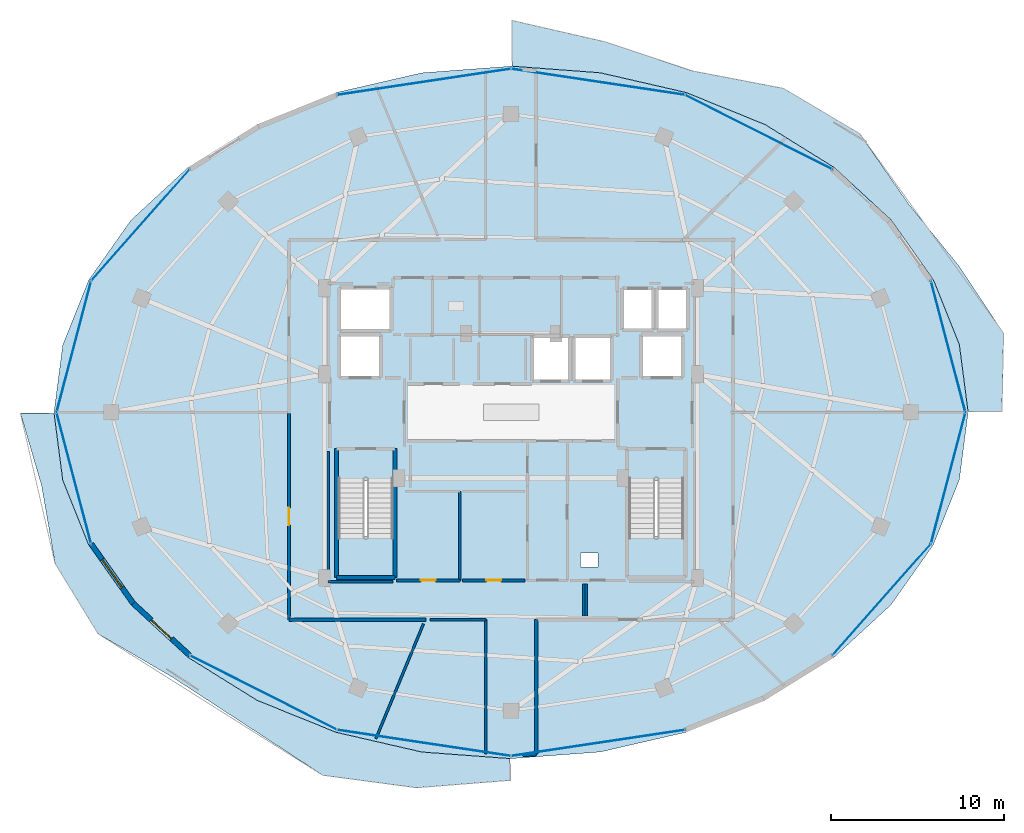
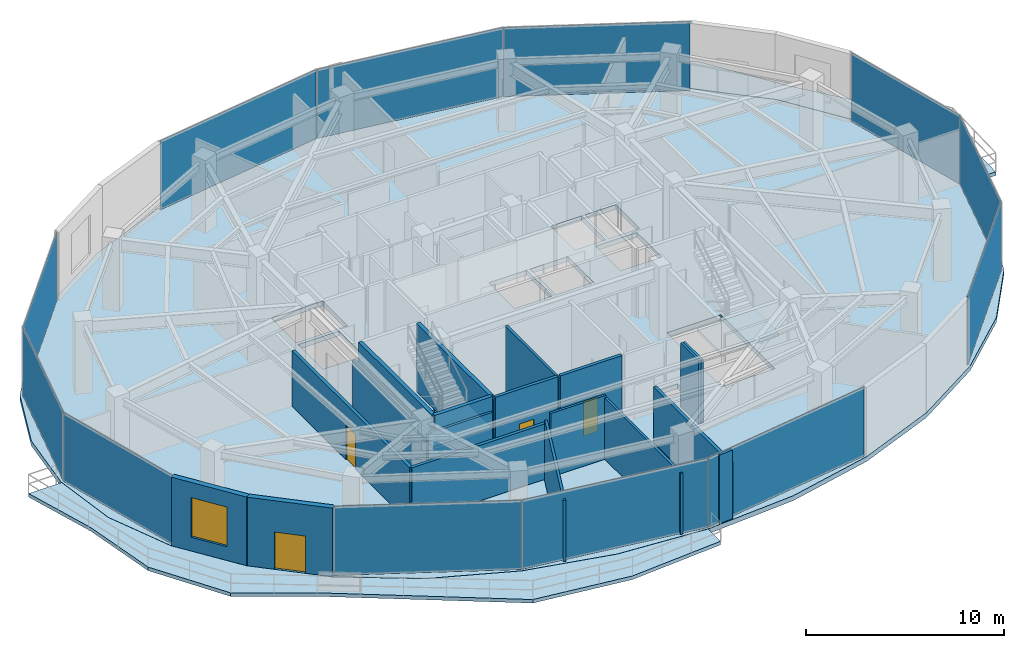
# One storey, part 20 of 27: 19 walls, 12 plates, 5 slabs, 4 doors, 1 window, 5 openings, 6 elements without a shape of their own.
"""IFC4 building model written with IfcOpenShell, lengths in metres."""

from ifc_helpers import new_model, si_unit, direction, frame, frame_2d, origin, origin_2d, place, context, subcontext, project, spatial, polyline, rectangle, outline, extrude, material, layer, layer_set, type_object, element, fill, aggregate, save


model = new_model("IFC4")

# Units and contexts
model_context = context("Model", 3, precision=1e-05, world=origin(), true_north=direction((0.0, 1.0)))
body_context = subcontext(model_context, "Body", "Model", "MODEL_VIEW")
ifc_project = project(units=[si_unit("LENGTHUNIT", "METRE"), si_unit("AREAUNIT", "SQUARE_METRE"), si_unit("VOLUMEUNIT", "CUBIC_METRE"), si_unit("PLANEANGLEUNIT", "RADIAN"), si_unit("MASSUNIT", "GRAM", prefix="KILO")], contexts=[model_context])

# Site, building, storey
site_placement = place(None, origin())
site = spatial("IfcSite", under=ifc_project, at=site_placement, CompositionType="ELEMENT")
building_placement = place(site_placement, origin())
building = spatial("IfcBuilding", under=site, at=building_placement, Name="Vorneva Point Tower", CompositionType="ELEMENT")
storey_placement = place(building_placement, frame((0.0, 0.0, 229.75)))
storey = spatial("IfcBuildingStorey", under=building, at=storey_placement, Name="L62", CompositionType="ELEMENT", Elevation=229.75)

# Curtain wall, plates
ifc_material_1 = material(Name="Pale anodised aluminium", Category="aluminium")
curtain_wall_type = type_object("IfcCurtainWallType", Name="CW-SKY-SYS", PredefinedType="NOTDEFINED", material=ifc_material_1)
curtain_wall_1_placement = place(storey_placement, origin())
curtain_wall_1 = element("IfcCurtainWall", 1, at=curtain_wall_1_placement, inside=storey, type_object=curtain_wall_type, Name="L62 Unitised Curtain Wall CW-L62-R01", PredefinedType="NOTDEFINED")
ifc_material_2 = material(Name="Double low-e laminated glass IGU", Category="glass")
ifc_layer_1 = layer(ifc_material_2, 0.035888671875)
ifc_layer_set_1 = layer_set([ifc_layer_1], Name="Double low-e laminated glass IGU")
plate_type = type_object("IfcPlateType", Name="CW-PNL-VIS", PredefinedType="CURTAIN_PANEL", material=ifc_layer_set_1)
plate_1_placement = place(storey_placement, frame((59.365966796875, 15.20556640625, -0.02001953125), z_axis=(0.0, 0.0, 1.0), x_axis=(0.662188570806, 0.749337238294, 0.0)))
plate_1 = element("IfcPlate", 2, at=plate_1_placement, type_object=plate_type, Name="CW-L62-R01 Glazed Panel 01", PredefinedType="CURTAIN_PANEL", context=body_context, shape_type="SweptSolid", body=[
    extrude(rectangle(XDim=8.526611328125, YDim=0.035888671875, at=origin_2d()), origin(), (0.0, 0.0, 1.0), 4.280029296875),
])
plate_2_placement = place(storey_placement, frame((63.202880859375, 22.20947265625, -0.02001953125), z_axis=(0.0, 0.0, 1.0), x_axis=(0.254416284022, 0.967094801157, 0.0)))
plate_2 = element("IfcPlate", 3, at=plate_2_placement, type_object=plate_type, Name="CW-L62-R01 Glazed Panel 02", PredefinedType="CURTAIN_PANEL", context=body_context, shape_type="SweptSolid", body=[
    extrude(rectangle(XDim=7.7890625, YDim=0.035888671875, at=origin_2d()), origin(), (0.0, 0.0, 1.0), 4.280029296875),
])
plate_3_placement = place(storey_placement, frame((63.202880859375, 29.79052734375, -0.02001953125), z_axis=(0.0, 0.0, 1.0), x_axis=(-0.254416284022, 0.967094801157, 0.0)))
plate_3 = element("IfcPlate", 4, at=plate_3_placement, type_object=plate_type, Name="CW-L62-R01 Glazed Panel 03", PredefinedType="CURTAIN_PANEL", context=body_context, shape_type="SweptSolid", body=[
    extrude(rectangle(XDim=7.7890625, YDim=0.035888671875, at=origin_2d()), origin(), (0.0, 0.0, 1.0), 4.280029296875),
])
aggregate(curtain_wall_1, [plate_1, plate_2, plate_3])

curtain_wall_2_placement = place(storey_placement, origin())
curtain_wall_2 = element("IfcCurtainWall", 5, at=curtain_wall_2_placement, inside=storey, type_object=curtain_wall_type, Name="L62 Unitised Curtain Wall CW-L62-R02", PredefinedType="NOTDEFINED")
plate_4_placement = place(storey_placement, frame((52.2763671875, 42.15478515625, -0.02001953125), z_axis=(0.0, 0.0, 1.0), x_axis=(-0.892554339087, 0.450939853836, 0.0)))
plate_4 = element("IfcPlate", 6, at=plate_4_placement, type_object=plate_type, Name="CW-L62-R02 Glazed Panel 01", PredefinedType="CURTAIN_PANEL", context=body_context, shape_type="SweptSolid", body=[
    extrude(rectangle(XDim=9.47314453125, YDim=0.035888671875, at=origin_2d()), origin(), (0.0, 0.0, 1.0), 4.280029296875),
])
plate_5_placement = place(storey_placement, frame((43.01318359375, 45.055908203125, -0.02001953125), z_axis=(0.0, 0.0, 1.0), x_axis=(-0.988878712919, 0.148724211669, 0.0)))
plate_5 = element("IfcPlate", 7, at=plate_5_placement, type_object=plate_type, Name="CW-L62-R02 Glazed Panel 02", PredefinedType="CURTAIN_PANEL", context=body_context, shape_type="SweptSolid", body=[
    extrude(rectangle(XDim=10.089111328125, YDim=0.035888671875, at=origin_2d()), origin(), (0.0, 0.0, 1.0), 4.280029296875),
])
plate_6_placement = place(storey_placement, frame((32.98681640625, 45.055908203125, -0.02001953125), z_axis=(0.0, 0.0, 1.0), x_axis=(-0.988878712919, -0.148724211669, 0.0)))
plate_6 = element("IfcPlate", 8, at=plate_6_placement, type_object=plate_type, Name="CW-L62-R02 Glazed Panel 03", PredefinedType="CURTAIN_PANEL", context=body_context, shape_type="SweptSolid", body=[
    extrude(rectangle(XDim=10.089111328125, YDim=0.035888671875, at=origin_2d()), origin(), (0.0, 0.0, 1.0), 4.280029296875),
])
aggregate(curtain_wall_2, [plate_4, plate_5, plate_6])

curtain_wall_3_placement = place(storey_placement, origin())
curtain_wall_3 = element("IfcCurtainWall", 9, at=curtain_wall_3_placement, inside=storey, type_object=curtain_wall_type, Name="L62 Unitised Curtain Wall CW-L62-R03", PredefinedType="NOTDEFINED")
plate_7_placement = place(storey_placement, frame((16.634033203125, 36.79443359375, -0.02001953125), z_axis=(0.0, 0.0, 1.0), x_axis=(-0.662188570806, -0.749337238294, 0.0)))
plate_7 = element("IfcPlate", 10, at=plate_7_placement, type_object=plate_type, Name="CW-L62-R03 Glazed Panel 01", PredefinedType="CURTAIN_PANEL", context=body_context, shape_type="SweptSolid", body=[
    extrude(rectangle(XDim=8.526611328125, YDim=0.035888671875, at=origin_2d()), origin(), (0.0, 0.0, 1.0), 4.280029296875),
])
plate_8_placement = place(storey_placement, frame((12.797119140625, 29.79052734375, -0.02001953125), z_axis=(0.0, 0.0, 1.0), x_axis=(-0.254416284022, -0.967094801157, 0.0)))
plate_8 = element("IfcPlate", 11, at=plate_8_placement, type_object=plate_type, Name="CW-L62-R03 Glazed Panel 02", PredefinedType="CURTAIN_PANEL", context=body_context, shape_type="SweptSolid", body=[
    extrude(rectangle(XDim=7.7890625, YDim=0.035888671875, at=origin_2d()), origin(), (0.0, 0.0, 1.0), 4.280029296875),
])
plate_9_placement = place(storey_placement, frame((12.797119140625, 22.20947265625, -0.02001953125), z_axis=(0.0, 0.0, 1.0), x_axis=(0.254416284022, -0.967094801157, 0.0)))
plate_9 = element("IfcPlate", 12, at=plate_9_placement, type_object=plate_type, Name="CW-L62-R03 Glazed Panel 03", PredefinedType="CURTAIN_PANEL", context=body_context, shape_type="SweptSolid", body=[
    extrude(rectangle(XDim=7.7890625, YDim=0.035888671875, at=origin_2d()), origin(), (0.0, 0.0, 1.0), 4.280029296875),
])
aggregate(curtain_wall_3, [plate_7, plate_8, plate_9])

curtain_wall_4_placement = place(storey_placement, origin())
curtain_wall_4 = element("IfcCurtainWall", 13, at=curtain_wall_4_placement, inside=storey, type_object=curtain_wall_type, Name="L62 Unitised Curtain Wall CW-L62-R04", PredefinedType="NOTDEFINED")
plate_10_placement = place(storey_placement, frame((23.723876953125, 9.84521484375, -0.02001953125), z_axis=(0.0, 0.0, 1.0), x_axis=(0.892554339087, -0.450939853836, 0.0)))
plate_10 = element("IfcPlate", 14, at=plate_10_placement, type_object=plate_type, Name="CW-L62-R04 Glazed Panel 01", PredefinedType="CURTAIN_PANEL", context=body_context, shape_type="SweptSolid", body=[
    extrude(rectangle(XDim=9.47314453125, YDim=0.035888671875, at=origin_2d()), origin(), (0.0, 0.0, 1.0), 4.280029296875),
])
plate_11_placement = place(storey_placement, frame((32.98681640625, 6.944091796875, -0.02001953125), z_axis=(0.0, 0.0, 1.0), x_axis=(0.988878712919, -0.148724211669, 0.0)))
plate_11 = element("IfcPlate", 15, at=plate_11_placement, type_object=plate_type, Name="CW-L62-R04 Glazed Panel 02", PredefinedType="CURTAIN_PANEL", context=body_context, shape_type="SweptSolid", body=[
    extrude(rectangle(XDim=10.089111328125, YDim=0.035888671875, at=origin_2d()), origin(), (0.0, 0.0, 1.0), 4.280029296875),
])
plate_12_placement = place(storey_placement, frame((43.01318359375, 6.944091796875, -0.02001953125), z_axis=(0.0, 0.0, 1.0), x_axis=(0.988878712919, 0.148724211669, 0.0)))
plate_12 = element("IfcPlate", 16, at=plate_12_placement, type_object=plate_type, Name="CW-L62-R04 Glazed Panel 03", PredefinedType="CURTAIN_PANEL", context=body_context, shape_type="SweptSolid", body=[
    extrude(rectangle(XDim=10.089111328125, YDim=0.035888671875, at=origin_2d()), origin(), (0.0, 0.0, 1.0), 4.280029296875),
])
aggregate(curtain_wall_4, [plate_10, plate_11, plate_12])

# Slabs
ifc_material_3 = material(Name="Concrete B50 (C40/50)", Category="concrete")
ifc_layer_2 = layer(ifc_material_3, 0.219970703125)
ifc_layer_set_2 = layer_set([ifc_layer_2], Name="Concrete B50 (C40/50)")
slab_type_1 = type_object("IfcSlabType", Name="SLB-BAL-220", PredefinedType="FLOOR", material=ifc_layer_set_2)
slab_1_placement = place(storey_placement, frame((0.0, 0.0, -0.219970703125)))
element("IfcSlab", 17, at=slab_1_placement, inside=storey, type_object=slab_type_1, Name="L62 Cantilevered Wave Balcony NE", PredefinedType="FLOOR", context=body_context, shape_type="SweptSolid", body=[
    extrude(outline(polyline([(38.050048828125, 48.598388671875), (38.050048828125, 45.960205078125), (43.140869140625, 45.58056640625), (43.14111328125, 45.58056640625), (43.1416015625, 45.580322265625), (48.084716796875, 44.444580078125), (48.0849609375, 44.4443359375), (48.085205078125, 44.4443359375), (52.640869140625, 42.599853515625), (52.64111328125, 42.599609375), (52.641357421875, 42.599609375), (56.634521484375, 40.1171875), (56.634765625, 40.1171875), (56.635009765625, 40.11669921875), (59.911865234375, 37.092041015625), (59.912109375, 37.091796875), (59.91259765625, 37.091552734375), (62.347412109375, 33.640625), (62.34765625, 33.640380859375), (62.347900390625, 33.639892578125), (63.847412109375, 29.8955078125), (63.847412109375, 29.895263671875), (63.84765625, 29.894775390625), (63.84765625, 29.89453125), (64.347412109375, 26.050048828125), (66.301025390625, 26.050048828125), (66.393798828125, 30.563720703125), (63.820068359375, 34.4453125), (60.93505859375, 37.994140625), (58.108642578125, 42.062744140625), (53.695556640625, 44.68310546875), (48.473876953125, 45.68408203125), (43.410888671875, 47.36962890625), (38.050048828125, 48.598388671875)])), origin(), (0.0, 0.0, 1.0), 0.219970703125),
])
slab_2_placement = place(storey_placement, frame((0.0, 0.0, -0.219970703125)))
element("IfcSlab", 18, at=slab_2_placement, inside=storey, type_object=slab_type_1, Name="L62 Cantilevered Wave Balcony SW", PredefinedType="FLOOR", context=body_context, shape_type="SweptSolid", body=[
    extrude(outline(polyline([(37.949951171875, 4.7861328125), (37.949951171875, 6.039794921875), (32.859130859375, 6.41943359375), (32.85888671875, 6.41943359375), (32.8583984375, 6.419677734375), (27.915283203125, 7.555419921875), (27.9150390625, 7.5556640625), (27.914794921875, 7.5556640625), (23.359130859375, 9.400146484375), (23.35888671875, 9.400390625), (23.358642578125, 9.400390625), (19.365478515625, 11.8828125), (19.365234375, 11.8828125), (19.364990234375, 11.88330078125), (16.088134765625, 14.907958984375), (16.087890625, 14.908203125), (16.08740234375, 14.908447265625), (13.652587890625, 18.359375), (13.65234375, 18.359619140625), (13.652099609375, 18.360107421875), (12.152587890625, 22.1044921875), (12.152587890625, 22.104736328125), (12.15234375, 22.105224609375), (12.15234375, 22.10546875), (11.652587890625, 25.949951171875), (9.714599609375, 25.949951171875), (10.934326171875, 21.78515625), (11.709716796875, 17.297607421875), (14.19189453125, 13.23583984375), (18.4892578125, 10.726318359375), (22.65576171875, 8.010986328125), (27.138916015625, 5.081787109375), (32.548583984375, 4.3603515625), (37.949951171875, 4.7861328125)])), origin(), (0.0, 0.0, 1.0), 0.219970703125),
])

# Stair, slab
stair_type = type_object("IfcStairType", Name="ST-DOG-1500", PredefinedType="HALF_TURN_STAIR", material=ifc_material_3)
stair_1_placement = place(storey_placement, origin())
stair_1 = element("IfcStair", 19, at=stair_1_placement, inside=storey, type_object=stair_type, Name="L62 ST1", PredefinedType="HALF_TURN_STAIR")
ifc_layer_3 = layer(ifc_material_3, 0.199951171875)
ifc_layer_set_3 = layer_set([ifc_layer_3], Name="Concrete B50 (C40/50)")
slab_type_2 = type_object("IfcSlabType", Name="SLB-LND-200", PredefinedType="LANDING", material=ifc_layer_set_3)
slab_3_placement = place(storey_placement, frame((0.0, 0.0, 2.050048828125)))
slab_3 = element("IfcSlab", 20, at=slab_3_placement, type_object=slab_type_2, Name="ST1 landing 1", PredefinedType="LANDING", context=body_context, shape_type="SweptSolid", body=[
    extrude(outline(polyline([(27.929931640625, 16.47998046875), (31.320068359375, 16.47998046875), (31.320068359375, 18.860107421875), (27.929931640625, 18.860107421875), (27.929931640625, 16.47998046875)])), origin(), (0.0, 0.0, 1.0), 0.199951171875),
])
aggregate(stair_1, [slab_3])

stair_2_placement = place(storey_placement, origin())
stair_2 = element("IfcStair", 21, at=stair_2_placement, inside=storey, type_object=stair_type, Name="L62 ST2", PredefinedType="HALF_TURN_STAIR")
slab_4_placement = place(storey_placement, frame((0.0, 0.0, 2.050048828125)))
slab_4 = element("IfcSlab", 22, at=slab_4_placement, type_object=slab_type_2, Name="ST2 landing 1", PredefinedType="LANDING", context=body_context, shape_type="SweptSolid", body=[
    extrude(outline(polyline([(44.679931640625, 16.47998046875), (48.070068359375, 16.47998046875), (48.070068359375, 18.860107421875), (44.679931640625, 18.860107421875), (44.679931640625, 16.47998046875)])), origin(), (0.0, 0.0, 1.0), 0.199951171875),
])
aggregate(stair_2, [slab_4])

# Slab
ifc_layer_4 = layer(ifc_material_3, 0.300048828125)
ifc_layer_set_4 = layer_set([ifc_layer_4], Name="Concrete B50 (C40/50)")
slab_type_3 = type_object("IfcSlabType", Name="SLB-SKY-300", PredefinedType="FLOOR", material=ifc_layer_set_4)
slab_5_placement = place(storey_placement, frame((0.0, 0.0, -0.300048828125)))
element("IfcSlab", 23, at=slab_5_placement, inside=storey, type_object=slab_type_3, Name="L62 Structural Floor Plate", PredefinedType="FLOOR", context=body_context, shape_type="SweptSolid", body=[
    extrude(outline(polyline([(64.35009765625, 26.0), (63.84375, 29.89404296875), (62.34423828125, 33.638427734375), (59.9091796875, 37.089111328125), (56.63232421875, 40.114013671875), (52.639404296875, 42.59619140625), (48.083740234375, 44.440673828125), (43.140625, 45.576416015625), (38.0, 45.9599609375), (32.859375, 45.576416015625), (27.916259765625, 44.440673828125), (23.360595703125, 42.59619140625), (19.36767578125, 40.114013671875), (16.0908203125, 37.089111328125), (13.65576171875, 33.638427734375), (12.15625, 29.89404296875), (11.64990234375, 26.0), (12.15625, 22.10595703125), (13.65576171875, 18.361572265625), (16.0908203125, 14.910888671875), (19.36767578125, 11.885986328125), (23.360595703125, 9.40380859375), (27.916259765625, 7.559326171875), (32.859375, 6.423583984375), (38.0, 6.0400390625), (43.140625, 6.423583984375), (48.083740234375, 7.559326171875), (52.639404296875, 9.40380859375), (56.63232421875, 11.885986328125), (59.9091796875, 14.910888671875), (62.34423828125, 18.361572265625), (63.84375, 22.10595703125), (64.35009765625, 26.0)]), holes=[polyline([(39.199951171875, 27.800048828125), (41.39990234375, 27.800048828125), (41.39990234375, 30.39990234375), (39.199951171875, 30.39990234375), (39.199951171875, 27.800048828125)]), polyline([(41.60009765625, 27.800048828125), (43.800048828125, 27.800048828125), (43.800048828125, 30.39990234375), (41.60009765625, 30.39990234375), (41.60009765625, 27.800048828125)]), polyline([(44.39990234375, 30.739990234375), (46.199951171875, 30.739990234375), (46.199951171875, 33.159912109375), (44.39990234375, 33.159912109375), (44.39990234375, 30.739990234375)]), polyline([(46.39990234375, 30.739990234375), (48.199951171875, 30.739990234375), (48.199951171875, 33.159912109375), (46.39990234375, 33.159912109375), (46.39990234375, 30.739990234375)]), polyline([(28.10009765625, 28.0), (30.5, 28.0), (30.5, 30.5), (28.10009765625, 30.5), (28.10009765625, 28.0)]), polyline([(45.5, 28.0), (47.89990234375, 28.0), (47.89990234375, 30.5), (45.5, 30.5), (45.5, 28.0)]), polyline([(28.10009765625, 30.699951171875), (31.10009765625, 30.699951171875), (31.10009765625, 33.199951171875), (28.10009765625, 33.199951171875), (28.10009765625, 30.699951171875)]), polyline([(28.050048828125, 16.60009765625), (31.199951171875, 16.60009765625), (31.199951171875, 22.080078125), (28.050048828125, 22.080078125), (28.050048828125, 16.60009765625)]), polyline([(44.800048828125, 16.60009765625), (47.949951171875, 16.60009765625), (47.949951171875, 22.080078125), (44.800048828125, 22.080078125), (44.800048828125, 16.60009765625)]), polyline([(42.0, 17.10009765625), (43.0, 17.10009765625), (43.0, 17.89990234375), (42.0, 17.89990234375), (42.0, 17.10009765625)])]), origin(), (0.0, 0.0, 1.0), 0.300048828125),
])

# Wall, opening, window
ifc_material_4 = material(Name="Precast concrete B50 (C40/50)", Category="concrete")
ifc_layer_5 = layer(ifc_material_4, 0.300048828125)
ifc_layer_set_5 = layer_set([ifc_layer_5], Name="Precast concrete B50 (C40/50)")
wall_type_1 = type_object("IfcWallType", Name="WL-EXT-300", PredefinedType="STANDARD", material=ifc_layer_set_5)
wall_1_placement = place(storey_placement, frame((13.79443359375, 18.4189453125, 0.0), z_axis=(0.0, 0.0, 1.0), x_axis=(0.577261247247, -0.816559521668, 0.0)))
wall_1 = element("IfcWall", 24, at=wall_1_placement, inside=storey, type_object=wall_type_1, Name="L62 Pale-Metal Facade Spandrel Wall 10.1", PredefinedType="STANDARD", context=body_context, shape_type="SweptSolid", body=[
    extrude(rectangle(XDim=4.194091796875, YDim=0.300048828125, at=frame_2d((2.09716796875, 0.0))), origin(), (0.0, 0.0, 1.0), 4.239990234375),
])
opening_1_placement = place(wall_1_placement, frame((1.09716796875, 0.0, 0.85009765625)))
opening_1 = element("IfcOpeningElement", 25, at=opening_1_placement, cuts=wall_1, Name="Opening W-07", PredefinedType="OPENING", context=body_context, shape_type="SweptSolid", body=[
    extrude(rectangle(XDim=2.0, YDim=2.449951171875, at=frame_2d((1.0, 1.22509765625))), frame((0.0, 0.1650390625, 0.0), z_axis=(0.0, -1.0, 0.0), x_axis=(1.0, 0.0, 0.0)), (0.0, 0.0, 1.0), 0.329833984375),
])
window_type = type_object("IfcWindowType", Name="WN-SKY-2000", PartitioningType="SINGLE_PANEL", PredefinedType="WINDOW", material=ifc_material_2)
window_placement = place(opening_1_placement, origin())
window = element("IfcWindow", 26, at=window_placement, inside=storey, type_object=window_type, Name="L62 Facade Window 10", OverallHeight=2.449951171875, OverallWidth=2.0, PartitioningType="SINGLE_PANEL", PredefinedType="WINDOW", context=body_context, shape_type="SweptSolid", body=[
    extrude(rectangle(XDim=2.0, YDim=2.449951171875, at=frame_2d((1.0, 1.22509765625))), frame((0.0, 0.030029296875, 0.0), z_axis=(0.0, -1.0, 0.0), x_axis=(1.0, 0.0, 0.0)), (0.0, 0.0, 1.0), 0.06005859375),
])
fill(opening_1, window)

# Wall, opening, door
wall_2_placement = place(storey_placement, frame((16.215576171875, 14.994140625, 0.0), z_axis=(0.0, 0.0, 1.0), x_axis=(0.735445373611, -0.677584018727, 0.0)))
wall_2 = element("IfcWall", 27, at=wall_2_placement, inside=storey, type_object=wall_type_1, Name="L62 Pale-Metal Facade Spandrel Wall 10.2", PredefinedType="STANDARD", context=body_context, shape_type="SweptSolid", body=[
    extrude(rectangle(XDim=4.430419921875, YDim=0.300048828125, at=frame_2d((2.21533203125, 0.0))), origin(), (0.0, 0.0, 1.0), 4.239990234375),
])
opening_2_placement = place(wall_2_placement, frame((1.415283203125, 0.0, 0.0)))
opening_2 = element("IfcOpeningElement", 28, at=opening_2_placement, cuts=wall_2, Name="Opening BD-01", PredefinedType="OPENING", context=body_context, shape_type="SweptSolid", body=[
    extrude(rectangle(XDim=1.60009765625, YDim=2.300048828125, at=frame_2d((0.800048828125, 1.14990234375))), frame((0.0, 0.1650390625, 0.0), z_axis=(0.0, -1.0, 0.0), x_axis=(1.0, 0.0, 0.0)), (0.0, 0.0, 1.0), 0.329833984375),
])
door_type_1 = type_object("IfcDoorType", Name="DR-BAL-1600", OperationType="SLIDING_TO_LEFT", PredefinedType="DOOR", material=ifc_material_1)
door_1_placement = place(opening_2_placement, origin())
door_1 = element("IfcDoor", 29, at=door_1_placement, inside=storey, type_object=door_type_1, Name="L62 Balcony Terrace Access Door 10", OperationType="SLIDING_TO_LEFT", OverallHeight=2.300048828125, OverallWidth=1.60009765625, PredefinedType="DOOR", context=body_context, shape_type="SweptSolid", body=[
    extrude(rectangle(XDim=1.60009765625, YDim=2.300048828125, at=frame_2d((0.800048828125, 1.14990234375))), frame((0.0, 0.02490234375, 0.0), z_axis=(0.0, -1.0, 0.0), x_axis=(1.0, 0.0, 0.0)), (0.0, 0.0, 1.0), 0.050048828125),
])
fill(opening_2, door_1)

# Walls
ifc_material_5 = material(Name="Fire-rated acoustic gypsum stud partition", Category="gypsum")
ifc_layer_6 = layer(ifc_material_5, 0.139892578125)
ifc_layer_set_6 = layer_set([ifc_layer_6], Name="Fire-rated acoustic gypsum stud partition")
wall_type_2 = type_object("IfcWallType", Name="WL-PART-140", PredefinedType="PARTITIONING", material=ifc_layer_set_6)
wall_3_placement = place(storey_placement, frame((35.050048828125, 16.320068359375, 0.0), z_axis=(0.0, 0.0, 1.0), x_axis=(0.0, 1.0, 0.0)))
element("IfcWall", 30, at=wall_3_placement, inside=storey, type_object=wall_type_2, Name="L62 Interior Partition 028", PredefinedType="PARTITIONING", context=body_context, shape_type="SweptSolid", body=[
    extrude(rectangle(XDim=5.1298828125, YDim=0.139892578125, at=frame_2d((2.56494140625, 0.0))), origin(), (0.0, 0.0, 1.0), 4.239990234375),
])
wall_4_placement = place(storey_placement, frame((33.330078125, 14.050048828125, 0.0), z_axis=(0.0, 0.0, 1.0), x_axis=(1.0, 0.0, 0.0)))
element("IfcWall", 31, at=wall_4_placement, inside=storey, type_object=wall_type_2, Name="L62 Interior Closure Partition 064", PredefinedType="PARTITIONING", context=body_context, shape_type="SweptSolid", body=[
    extrude(rectangle(XDim=3.219970703125, YDim=0.139892578125, at=frame_2d((1.60986328125, 0.0))), origin(), (0.0, 0.0, 1.0), 3.928955078125),
])
wall_5_placement = place(storey_placement, frame((36.550048828125, 14.050048828125, 0.0), z_axis=(0.0, 0.0, 1.0), x_axis=(0.0, -1.0, 0.0)))
element("IfcWall", 32, at=wall_5_placement, inside=storey, type_object=wall_type_2, Name="L62 Interior Closure Partition 065", PredefinedType="PARTITIONING", context=body_context, shape_type="SweptSolid", body=[
    extrude(rectangle(XDim=7.7509765625, YDim=0.139892578125, at=frame_2d((3.87548828125, 0.0))), origin(), (0.0, 0.0, 1.0), 3.77392578125),
])
wall_6_placement = place(storey_placement, frame((42.340087890625, 14.27001953125, 0.0), z_axis=(0.0, 0.0, 1.0), x_axis=(0.0, 1.0, 0.0)))
element("IfcWall", 33, at=wall_6_placement, inside=storey, type_object=wall_type_2, Name="L62 Interior Closure Partition 066", PredefinedType="PARTITIONING", context=body_context, shape_type="SweptSolid", body=[
    extrude(rectangle(XDim=1.830078125, YDim=0.139892578125, at=frame_2d((0.9150390625, 0.0))), origin(), (0.0, 0.0, 1.0), 3.928955078125),
])
wall_7_placement = place(storey_placement, frame((27.449951171875, 23.75390625, 0.0), z_axis=(0.0, 0.0, 1.0), x_axis=(0.0, -1.0, 0.0)))
element("IfcWall", 34, at=wall_7_placement, inside=storey, type_object=wall_type_2, Name="L62 Interior Closure Partition 075", PredefinedType="PARTITIONING", context=body_context, shape_type="SweptSolid", body=[
    extrude(rectangle(XDim=7.513916015625, YDim=0.139892578125, at=frame_2d((3.7568359375, 0.0))), origin(), (0.0, 0.0, 1.0), 3.431884765625),
])
wall_8_placement = place(storey_placement, frame((27.449951171875, 16.239990234375, 0.0), z_axis=(0.0, 0.0, 1.0), x_axis=(1.0, 0.0, 0.0)))
element("IfcWall", 35, at=wall_8_placement, inside=storey, type_object=wall_type_2, Name="L62 Interior Closure Partition 076", PredefinedType="PARTITIONING", context=body_context, shape_type="SweptSolid", body=[
    extrude(rectangle(XDim=3.7451171875, YDim=0.139892578125, at=frame_2d((1.87255859375, 0.0))), origin(), (0.0, 0.0, 1.0), 3.431884765625),
])
wall_9_placement = place(storey_placement, frame((42.199951171875, 16.10009765625, 0.0), z_axis=(0.0, 0.0, 1.0), x_axis=(0.0, -1.0, 0.0)))
element("IfcWall", 36, at=wall_9_placement, inside=storey, type_object=wall_type_2, Name="L62 Interior Closure Partition 077", PredefinedType="PARTITIONING", context=body_context, shape_type="SweptSolid", body=[
    extrude(rectangle(XDim=1.830078125, YDim=0.139892578125, at=frame_2d((0.9150390625, 0.0))), origin(), (0.0, 0.0, 1.0), 3.928955078125),
])
wall_10_placement = place(storey_placement, frame((30.20703125, 7.18701171875, 0.0), z_axis=(0.0, 0.0, 1.0), x_axis=(0.382679691634, 0.923881081964, 0.0)))
element("IfcWall", 37, at=wall_10_placement, inside=storey, type_object=wall_type_2, Name="L62 Interior Closure Partition 079", PredefinedType="PARTITIONING", context=body_context, shape_type="SweptSolid", body=[
    extrude(rectangle(XDim=7.167724609375, YDim=0.139892578125, at=frame_2d((3.583984375, 0.0))), origin(), (0.0, 0.0, 1.0), 3.77392578125),
])

# Wall, opening, door
ifc_material_6 = material(Name="Autoclaved aerated concrete blockwork", Category="masonry")
ifc_layer_7 = layer(ifc_material_6, 0.179931640625)
ifc_layer_set_7 = layer_set([ifc_layer_7], Name="Autoclaved aerated concrete blockwork")
wall_type_3 = type_object("IfcWallType", Name="WL-PART-180", PredefinedType="PARTITIONING", material=ifc_layer_set_7)
wall_11_placement = place(storey_placement, frame((31.39990234375, 16.320068359375, 0.0), z_axis=(0.0, 0.0, 1.0), x_axis=(1.0, 0.0, 0.0)))
wall_11 = element("IfcWall", 38, at=wall_11_placement, inside=storey, type_object=wall_type_3, Name="L62 Interior Partition 030", PredefinedType="PARTITIONING", context=body_context, shape_type="SweptSolid", body=[
    extrude(rectangle(XDim=3.650146484375, YDim=0.179931640625, at=frame_2d((1.8251953125, 0.0))), origin(), (0.0, 0.0, 1.0), 4.239990234375),
])
opening_3_placement = place(wall_11_placement, frame((1.39990234375, 0.0, 0.0)))
opening_3 = element("IfcOpeningElement", 39, at=opening_3_placement, cuts=wall_11, Name="Opening ID-02", PredefinedType="OPENING", context=body_context, shape_type="SweptSolid", body=[
    extrude(rectangle(XDim=0.85009765625, YDim=2.10009765625, at=frame_2d((0.425048828125, 1.050048828125))), frame((0.0, 0.10498046875, 0.0), z_axis=(0.0, -1.0, 0.0), x_axis=(1.0, 0.0, 0.0)), (0.0, 0.0, 1.0), 0.209716796875),
])
ifc_material_7 = material(Name="Engineered oak fire-rated door leaf", Category="wood")
door_type_2 = type_object("IfcDoorType", Name="DR-BATH-850", OperationType="NOTDEFINED", PredefinedType="DOOR", material=ifc_material_7)
door_2_placement = place(opening_3_placement, origin())
door_2 = element("IfcDoor", 40, at=door_2_placement, inside=storey, type_object=door_type_2, Name="L62 Door Cleaners Store / L62 Circulation Corridor", OperationType="SINGLE_SWING_RIGHT", OverallHeight=2.10009765625, OverallWidth=0.85009765625, PredefinedType="DOOR", context=body_context, shape_type="SweptSolid", body=[
    extrude(rectangle(XDim=0.85009765625, YDim=2.10009765625, at=frame_2d((0.425048828125, 1.050048828125))), frame((0.0, 0.02490234375, 0.0), z_axis=(0.0, -1.0, 0.0), x_axis=(1.0, 0.0, 0.0)), (0.0, 0.0, 1.0), 0.050048828125),
])
fill(opening_3, door_2)

wall_12_placement = place(storey_placement, frame((35.199951171875, 16.320068359375, 0.0), z_axis=(0.0, 0.0, 1.0), x_axis=(1.0, 0.0, 0.0)))
wall_12 = element("IfcWall", 41, at=wall_12_placement, inside=storey, type_object=wall_type_3, Name="L62 Interior Partition 032", PredefinedType="PARTITIONING", context=body_context, shape_type="SweptSolid", body=[
    extrude(rectangle(XDim=3.60009765625, YDim=0.179931640625, at=frame_2d((1.800048828125, 0.0))), origin(), (0.0, 0.0, 1.0), 4.239990234375),
])
opening_4_placement = place(wall_12_placement, frame((1.375, 0.0, 0.0)))
opening_4 = element("IfcOpeningElement", 42, at=opening_4_placement, cuts=wall_12, Name="Opening ID-02", PredefinedType="OPENING", context=body_context, shape_type="SweptSolid", body=[
    extrude(rectangle(XDim=0.85009765625, YDim=2.10009765625, at=frame_2d((0.425048828125, 1.050048828125))), frame((0.0, 0.10498046875, 0.0), z_axis=(0.0, -1.0, 0.0), x_axis=(1.0, 0.0, 0.0)), (0.0, 0.0, 1.0), 0.209716796875),
])
door_3_placement = place(opening_4_placement, origin())
door_3 = element("IfcDoor", 43, at=door_3_placement, inside=storey, type_object=door_type_2, Name="L62 Door Tenant Equipment Store / L62 Circulation Corridor", OperationType="SINGLE_SWING_LEFT", OverallHeight=2.10009765625, OverallWidth=0.85009765625, PredefinedType="DOOR", context=body_context, shape_type="SweptSolid", body=[
    extrude(rectangle(XDim=0.85009765625, YDim=2.10009765625, at=frame_2d((0.425048828125, 1.050048828125))), frame((0.0, 0.02490234375, 0.0), z_axis=(0.0, -1.0, 0.0), x_axis=(1.0, 0.0, 0.0)), (0.0, 0.0, 1.0), 0.050048828125),
])
fill(opening_4, door_3)

wall_13_placement = place(storey_placement, frame((25.199951171875, 25.93994140625, 0.0), z_axis=(0.0, 0.0, 1.0), x_axis=(0.0, -1.0, 0.0)))
wall_13 = element("IfcWall", 44, at=wall_13_placement, inside=storey, type_object=wall_type_3, Name="L62 Interior Partition 038", PredefinedType="PARTITIONING", context=body_context, shape_type="SweptSolid", body=[
    extrude(rectangle(XDim=11.889892578125, YDim=0.179931640625, at=frame_2d((5.94482421875, 0.0))), origin(), (0.0, 0.0, 1.0), 3.431884765625),
])
opening_5_placement = place(wall_13_placement, frame((5.445068359375, 0.0, 0.0)))
opening_5 = element("IfcOpeningElement", 45, at=opening_5_placement, cuts=wall_13, Name="Opening UD-01", PredefinedType="OPENING", context=body_context, shape_type="SweptSolid", body=[
    extrude(rectangle(XDim=1.0, YDim=2.14990234375, at=frame_2d((0.5, 1.074951171875))), frame((0.0, 0.10498046875, 0.0), z_axis=(0.0, -1.0, 0.0), x_axis=(1.0, 0.0, 0.0)), (0.0, 0.0, 1.0), 0.209716796875),
])
door_type_3 = type_object("IfcDoorType", Name="DR-UNIT-1000", OperationType="NOTDEFINED", PredefinedType="DOOR", material=ifc_material_7)
door_4_placement = place(opening_5_placement, origin())
door_4 = element("IfcDoor", 46, at=door_4_placement, inside=storey, type_object=door_type_3, Name="L62 Door L62 Circulation Corridor / Wellness Spa and Fitness Hall L62", OperationType="SINGLE_SWING_RIGHT", OverallHeight=2.14990234375, OverallWidth=1.0, PredefinedType="DOOR", context=body_context, shape_type="SweptSolid", body=[
    extrude(rectangle(XDim=1.0, YDim=2.14990234375, at=frame_2d((0.5, 1.074951171875))), frame((0.0, 0.02490234375, 0.0), z_axis=(0.0, -1.0, 0.0), x_axis=(1.0, 0.0, 0.0)), (0.0, 0.0, 1.0), 0.050048828125),
])
fill(opening_5, door_4)

# Walls
wall_14_placement = place(storey_placement, frame((25.199951171875, 14.050048828125, 0.0), z_axis=(0.0, 0.0, 1.0), x_axis=(1.0, 0.0, 0.0)))
element("IfcWall", 47, at=wall_14_placement, inside=storey, type_object=wall_type_3, Name="L62 Interior Partition 039", PredefinedType="PARTITIONING", context=body_context, shape_type="SweptSolid", body=[
    extrude(rectangle(XDim=7.91015625, YDim=0.179931640625, at=frame_2d((3.955078125, 0.0))), origin(), (0.0, 0.0, 1.0), 3.431884765625),
])
wall_15_placement = place(storey_placement, frame((38.6708984375, 6.239990234375, 0.0), z_axis=(0.0, 0.0, 1.0), x_axis=(0.997136622012, 0.0756211415, 0.0)))
element("IfcWall", 48, at=wall_15_placement, inside=storey, type_object=wall_type_3, Name="L62 Interior Partition 040", PredefinedType="PARTITIONING", context=body_context, shape_type="SweptSolid", body=[
    extrude(rectangle(XDim=0.78125, YDim=0.179931640625, at=frame_2d((0.390625, 0.0))), origin(), (0.0, 0.0, 1.0), 4.239990234375),
])
wall_16_placement = place(storey_placement, frame((39.449951171875, 6.299072265625, 0.0), z_axis=(0.0, 0.0, 1.0), x_axis=(0.0, 1.0, 0.0)))
element("IfcWall", 49, at=wall_16_placement, inside=storey, type_object=wall_type_3, Name="L62 Interior Partition 041", PredefinedType="PARTITIONING", context=body_context, shape_type="SweptSolid", body=[
    extrude(rectangle(XDim=7.7509765625, YDim=0.179931640625, at=frame_2d((3.87548828125, 0.0))), origin(), (0.0, 0.0, 1.0), 3.431884765625),
])
ifc_layer_8 = layer(ifc_material_3, 0.219970703125)
ifc_layer_set_8 = layer_set([ifc_layer_8], Name="Concrete B50 (C40/50)")
wall_type_4 = type_object("IfcWallType", Name="WL-SHFT-220", PredefinedType="SOLIDWALL", material=ifc_layer_set_8)
wall_17_placement = place(storey_placement, frame((31.31005859375, 23.909912109375, 0.0), z_axis=(0.0, 0.0, 1.0), x_axis=(0.0, -1.0, 0.0)))
element("IfcWall", 50, at=wall_17_placement, inside=storey, type_object=wall_type_4, Name="L62 Exit Stair ST1 Shaft Wall right", PredefinedType="SOLIDWALL", context=body_context, shape_type="SweptSolid", body=[
    extrude(rectangle(XDim=7.419921875, YDim=0.219970703125, at=frame_2d((3.7099609375, 0.0))), origin(), (0.0, 0.0, 1.0), 4.239990234375),
])
wall_18_placement = place(storey_placement, frame((31.31005859375, 16.489990234375, 0.0), z_axis=(0.0, 0.0, 1.0), x_axis=(-1.0, 0.0, 0.0)))
element("IfcWall", 51, at=wall_18_placement, inside=storey, type_object=wall_type_4, Name="L62 Exit Stair ST1 Shaft Wall far", PredefinedType="SOLIDWALL", context=body_context, shape_type="SweptSolid", body=[
    extrude(rectangle(XDim=3.3701171875, YDim=0.219970703125, at=frame_2d((1.68505859375, 0.0))), origin(), (0.0, 0.0, 1.0), 4.239990234375),
])
wall_19_placement = place(storey_placement, frame((27.93994140625, 16.489990234375, 0.0), z_axis=(0.0, 0.0, 1.0), x_axis=(0.0, 1.0, 0.0)))
element("IfcWall", 52, at=wall_19_placement, inside=storey, type_object=wall_type_4, Name="L62 Exit Stair ST1 Shaft Wall left", PredefinedType="SOLIDWALL", context=body_context, shape_type="SweptSolid", body=[
    extrude(rectangle(XDim=7.419921875, YDim=0.219970703125, at=frame_2d((3.7099609375, 0.0))), origin(), (0.0, 0.0, 1.0), 4.239990234375),
])

save(model, "model.ifc")
